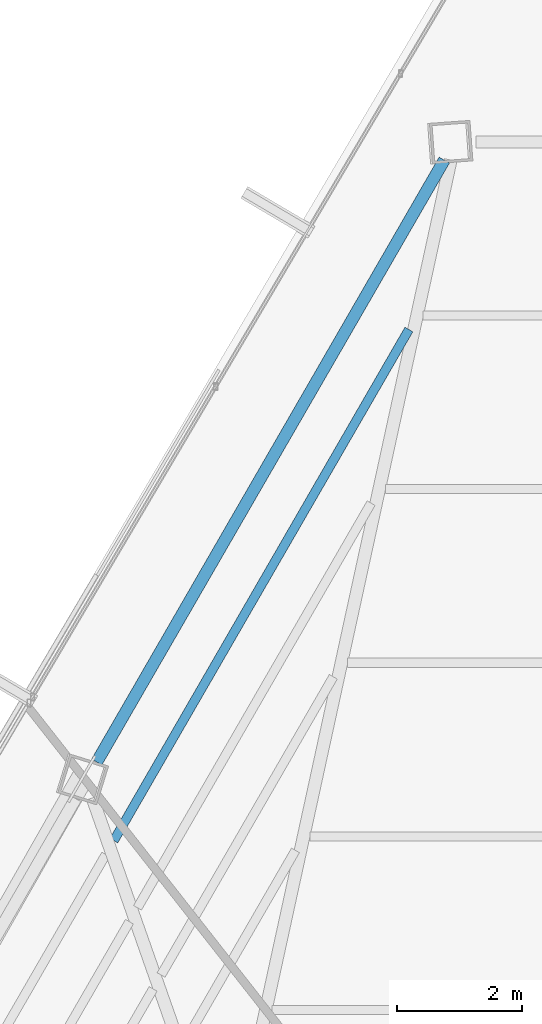
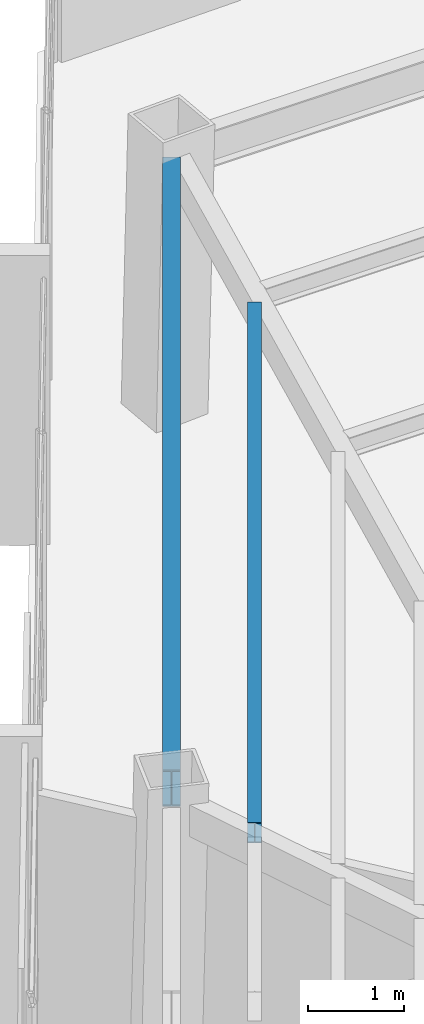
# One storey, part 31 of 46: 2 beams.
"""IFC4 building model written with IfcOpenShell, lengths in metres."""

from ifc_helpers import new_model, si_unit, direction, frame, origin, origin_2d, place, context, subcontext, project, spatial, i_section, extrude, source, transform, mapped, material, material_profile, profile_set, type_object, type_shapes, element, save


model = new_model("IFC4")

# Units and contexts
model_context = context("Model", 3, precision=1e-05, world=origin(), true_north=direction((0.0, 1.0)))
body_context = subcontext(model_context, "Body", "Model", "MODEL_VIEW")
ifc_project = project(units=[si_unit("LENGTHUNIT", "METRE"), si_unit("AREAUNIT", "SQUARE_METRE"), si_unit("VOLUMEUNIT", "CUBIC_METRE"), si_unit("PLANEANGLEUNIT", "RADIAN"), si_unit("MASSUNIT", "GRAM", prefix="KILO")], contexts=[model_context])

# Site, building, storey
site_placement = place(None, origin())
site = spatial("IfcSite", under=ifc_project, at=site_placement, CompositionType="ELEMENT")
building_placement = place(site_placement, origin())
building = spatial("IfcBuilding", under=site, at=building_placement, Name="Caelisora Broadcast Tower", CompositionType="ELEMENT")
storey_placement = place(building_placement, frame((0.0, 0.0, 251.75)))
storey = spatial("IfcBuildingStorey", under=building, at=storey_placement, Name="L66", CompositionType="ELEMENT", Elevation=251.75)

# Beams
ifc_material = material(Name="Steel Grade 350 (AS/NZS 3679.1)", Category="steel")
ifc_material_profile_1 = material_profile(ifc_material, i_section(OverallWidth=0.19091796875, OverallDepth=0.46044921875, WebThickness=0.010009765625, FlangeThickness=0.01611328125, at=origin_2d()), Name="Steel Grade 350 (AS/NZS 3679.1)")
ifc_profile_set_1 = profile_set([ifc_material_profile_1], Name="Steel Grade 350 (AS/NZS 3679.1)")
beam_type_1 = type_object("IfcBeamType", Name="PG06", PredefinedType="BEAM", material=ifc_profile_set_1)
shared_shape_1 = source(origin(), body_context, "Body", "SweptSolid", [
    extrude(i_section(OverallWidth=0.19091796875, OverallDepth=0.46044921875, WebThickness=0.010009765625, FlangeThickness=0.01611328125, at=origin_2d()), origin(), (0.0, 0.0, 1.0), 11.124267578125),
])
type_shapes(beam_type_1, [shared_shape_1])
beam_1_placement = place(storey_placement, frame((33.961181640625, 46.380126953125, 3.169921875), z_axis=(-0.500012482886, -0.866018196667, 0.0), x_axis=(0.866018196667, -0.500012482886, 0.0)))
element("IfcBeam", 1, at=beam_1_placement, inside=storey, type_object=beam_type_1, Name="L66 beam PG06", PredefinedType="BEAM", context=body_context, shape_type="MappedRepresentation", body=[
    mapped(shared_shape_1, transform((0.0, 0.0, 0.0), scale=1.0)),
])
ifc_material_profile_2 = material_profile(ifc_material, i_section(OverallWidth=0.14599609375, OverallDepth=0.256103515625, WebThickness=0.00634765625, FlangeThickness=0.010986328125, at=origin_2d()), Name="Steel Grade 350 (AS/NZS 3679.1)")
ifc_profile_set_2 = profile_set([ifc_material_profile_2], Name="Steel Grade 350 (AS/NZS 3679.1)")
beam_type_2 = type_object("IfcBeamType", Name="SB04", PredefinedType="JOIST", material=ifc_profile_set_2)
shared_shape_2 = source(origin(), body_context, "Body", "SweptSolid", [
    extrude(i_section(OverallWidth=0.14599609375, OverallDepth=0.256103515625, WebThickness=0.00634765625, FlangeThickness=0.010986328125, at=origin_2d()), origin(), (0.0, 0.0, 1.0), 9.444580078125),
])
type_shapes(beam_type_2, [shared_shape_2])
beam_2_placement = place(storey_placement, frame((33.39501953125, 43.668701171875, 3.27197265625), z_axis=(-0.500011851064, -0.866018561461, 0.0), x_axis=(0.866018561461, -0.500011851064, 0.0)))
element("IfcBeam", 2, at=beam_2_placement, inside=storey, type_object=beam_type_2, Name="L66 beam SB04", PredefinedType="JOIST", context=body_context, shape_type="MappedRepresentation", body=[
    mapped(shared_shape_2, transform((0.0, 0.0, 0.0), scale=1.0)),
])

save(model, "model.ifc")
